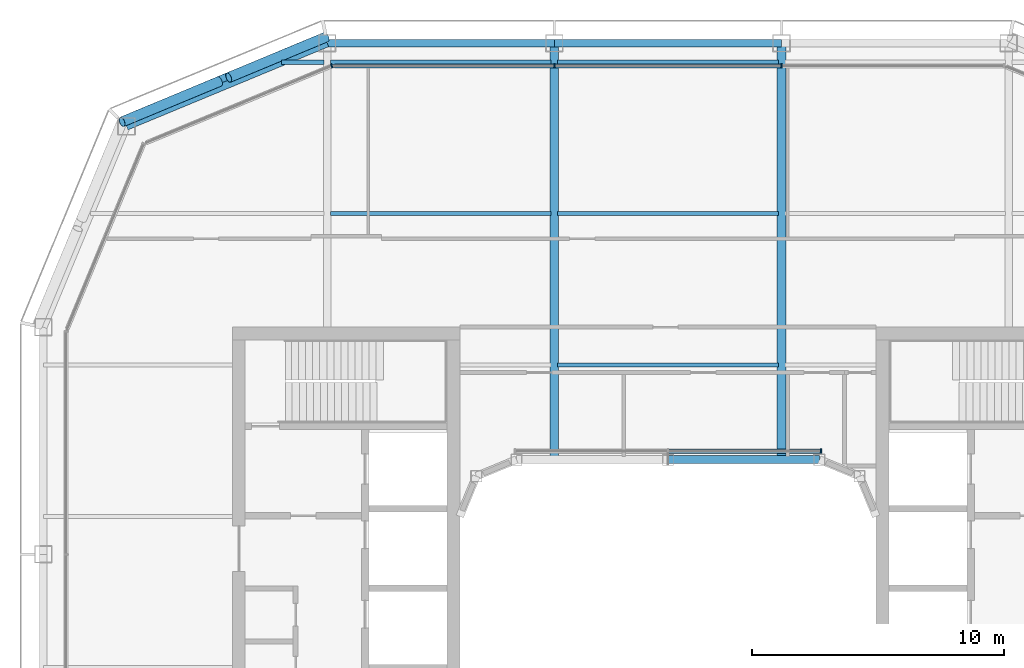
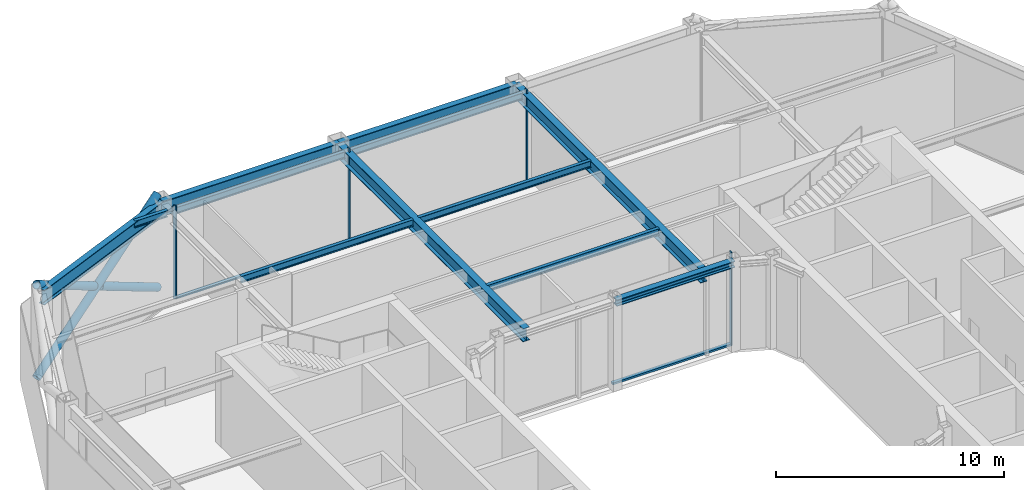
# One storey, part 8 of 17: 12 beams, 10 members, 3 elements without a shape of their own.
"""IFC4 building model written with IfcOpenShell, lengths in metres."""

from ifc_helpers import new_model, si_unit, direction, frame, origin, origin_2d, place, context, subcontext, project, spatial, rectangle, hollow_circle, i_section, extrude, material, layer, layer_set, material_profile, profile_set, type_object, element, aggregate, save


model = new_model("IFC4")

# Units and contexts
model_context = context("Model", 3, precision=1e-05, world=origin(), true_north=direction((0.0, 1.0)))
body_context = subcontext(model_context, "Body", "Model", "MODEL_VIEW")
ifc_project = project(units=[si_unit("LENGTHUNIT", "METRE"), si_unit("AREAUNIT", "SQUARE_METRE"), si_unit("VOLUMEUNIT", "CUBIC_METRE"), si_unit("PLANEANGLEUNIT", "RADIAN"), si_unit("MASSUNIT", "GRAM", prefix="KILO")], contexts=[model_context])

# Site, building, storey
site_placement = place(None, origin())
site = spatial("IfcSite", under=ifc_project, at=site_placement, CompositionType="ELEMENT")
building_placement = place(site_placement, origin())
building = spatial("IfcBuilding", under=site, at=building_placement, Name="Siwar Civic Tower", CompositionType="ELEMENT")
storey_placement = place(building_placement, frame((0.0, 0.0, 353.199951171875)))
storey = spatial("IfcBuildingStorey", under=building, at=storey_placement, Name="L76", CompositionType="ELEMENT", Elevation=353.199951171875)

# Curtain wall, members
ifc_material_1 = material(Name="Aluminium and glass", Category="aluminium")
ifc_layer_1 = layer(ifc_material_1, 0.159912109375)
ifc_layer_set_1 = layer_set([ifc_layer_1], Name="Aluminium and glass")
curtain_wall_type_1 = type_object("IfcCurtainWallType", Name="ENV-CW-D", PredefinedType="NOTDEFINED", material=ifc_layer_set_1)
curtain_wall_1_placement = place(storey_placement, origin())
curtain_wall_1 = element("IfcCurtainWall", 1, at=curtain_wall_1_placement, inside=storey, type_object=curtain_wall_type_1, Name="Curtain wall D N", PredefinedType="NOTDEFINED")
ifc_material_2 = material(Name="Aluminium 6063-T6", Category="aluminium")
ifc_material_profile_1 = material_profile(ifc_material_2, rectangle(XDim=0.159912109375, YDim=0.06005859375, at=origin_2d()), Name="AL 160x60")
ifc_profile_set_1 = profile_set([ifc_material_profile_1], Name="Aluminium 6063-T6")
member_type_1 = type_object("IfcMemberType", Name="ENV-MULLION-D", PredefinedType="MULLION", material=ifc_profile_set_1)
member_1_placement = place(storey_placement, frame((4.5, 23.85009765625, 0.0), z_axis=(0.0, 0.0, 1.0), x_axis=(0.0, -1.0, 0.0)))
member_1 = element("IfcMember", 2, at=member_1_placement, type_object=member_type_1, Name="Mullion D N 2", PredefinedType="MULLION", context=body_context, shape_type="SweptSolid", body=[
    extrude(rectangle(XDim=0.159912109375, YDim=0.06005859375, at=origin_2d()), origin(), (0.0, 0.0, 1.0), 5.0),
])
member_2_placement = place(storey_placement, frame((-4.5, 23.85009765625, 0.0), z_axis=(0.0, 0.0, 1.0), x_axis=(0.0, -1.0, 0.0)))
member_2 = element("IfcMember", 3, at=member_2_placement, type_object=member_type_1, Name="Mullion D N 3", PredefinedType="MULLION", context=body_context, shape_type="SweptSolid", body=[
    extrude(rectangle(XDim=0.159912109375, YDim=0.06005859375, at=origin_2d()), origin(), (0.0, 0.0, 1.0), 5.0),
])

# Curtain wall, member
ifc_material_3 = material(Name="Aluminium clad insulated panel", Category="aluminium")
ifc_layer_2 = layer(ifc_material_3, 0.159912109375)
ifc_layer_set_2 = layer_set([ifc_layer_2], Name="Aluminium clad insulated panel")
curtain_wall_type_2 = type_object("IfcCurtainWallType", Name="ENV-CW-DX", PredefinedType="NOTDEFINED", material=ifc_layer_set_2)
curtain_wall_2_placement = place(storey_placement, origin())
curtain_wall_2 = element("IfcCurtainWall", 4, at=curtain_wall_2_placement, inside=storey, type_object=curtain_wall_type_2, Name="Curtain wall D NW1", PredefinedType="NOTDEFINED")
member_3_placement = place(storey_placement, frame((-13.321044921875, 23.85009765625, 0.0), z_axis=(0.0, 0.0, 1.0), x_axis=(0.382683432365, -0.923879532511, 0.0)))
member_3 = element("IfcMember", 5, at=member_3_placement, type_object=member_type_1, Name="Mullion D NW1 1", PredefinedType="MULLION", context=body_context, shape_type="SweptSolid", body=[
    extrude(rectangle(XDim=0.159912109375, YDim=0.06005859375, at=origin_2d()), origin(), (0.0, 0.0, 1.0), 5.0),
])
aggregate(curtain_wall_2, [member_3])

ifc_material_4 = material(Name="Aluminium and glass", Category="aluminium")
ifc_layer_3 = layer(ifc_material_4, 0.179931640625)
ifc_layer_set_3 = layer_set([ifc_layer_3], Name="Aluminium and glass")
curtain_wall_type_3 = type_object("IfcCurtainWallType", Name="ENV-CW-W", PredefinedType="NOTDEFINED", material=ifc_layer_set_3)
curtain_wall_3_placement = place(storey_placement, origin())
curtain_wall_3 = element("IfcCurtainWall", 6, at=curtain_wall_3_placement, inside=storey, type_object=curtain_wall_type_3, Name="Curtain wall W WN", PredefinedType="NOTDEFINED")
ifc_material_5 = material(Name="Aluminium 6063-T6", Category="aluminium")
ifc_material_profile_2 = material_profile(ifc_material_5, rectangle(XDim=0.179931640625, YDim=0.06005859375, at=origin_2d()), Name="AL 180x60")
ifc_profile_set_2 = profile_set([ifc_material_profile_2], Name="Aluminium 6063-T6")
member_type_2 = type_object("IfcMemberType", Name="ENV-MULLION-W", PredefinedType="MULLION", material=ifc_profile_set_2)
member_4_placement = place(storey_placement, frame((6.066650390625, 8.5849609375, 0.0), z_axis=(0.0, 0.0, 1.0), x_axis=(0.0, -1.0, 0.0)))
member_4 = element("IfcMember", 7, at=member_4_placement, type_object=member_type_2, Name="Mullion W WN 1", PredefinedType="MULLION", context=body_context, shape_type="SweptSolid", body=[
    extrude(rectangle(XDim=0.179931640625, YDim=0.06005859375, at=origin_2d()), origin(), (0.0, 0.0, 1.0), 5.0),
])

# Member
ifc_material_6 = material(Name="Aluminium 6063-T6", Category="aluminium")
ifc_material_profile_3 = material_profile(ifc_material_6, rectangle(XDim=0.159912109375, YDim=0.10009765625, at=origin_2d()), Name="AL 160x100")
ifc_profile_set_3 = profile_set([ifc_material_profile_3], Name="Aluminium 6063-T6")
member_type_3 = type_object("IfcMemberType", Name="ENV-TRANSOM-D", PredefinedType="USERDEFINED", material=ifc_profile_set_3)
member_5_placement = place(storey_placement, frame((4.469970703125, 23.85009765625, 0.050048828125), z_axis=(-1.0, 0.0, 0.0), x_axis=(0.0, -1.0, 0.0)))
member_5 = element("IfcMember", 8, at=member_5_placement, type_object=member_type_3, Name="Transom D N 2", ObjectType="TRANSOM", PredefinedType="USERDEFINED", context=body_context, shape_type="SweptSolid", body=[
    extrude(rectangle(XDim=0.159912109375, YDim=0.10009765625, at=origin_2d()), origin(), (0.0, 0.0, 1.0), 8.93994140625),
])

member_6_placement = place(storey_placement, frame((-4.530029296875, 23.85009765625, 0.050048828125), z_axis=(-1.0, 0.0, 0.0), x_axis=(0.0, -1.0, 0.0)))
member_6 = element("IfcMember", 9, at=member_6_placement, type_object=member_type_3, Name="Transom D N 3", ObjectType="TRANSOM", PredefinedType="USERDEFINED", context=body_context, shape_type="SweptSolid", body=[
    extrude(rectangle(XDim=0.159912109375, YDim=0.10009765625, at=origin_2d()), origin(), (0.0, 0.0, 1.0), 8.693115234375),
])

aggregate(curtain_wall_1, [member_1, member_2, member_5, member_6])

ifc_material_7 = material(Name="Aluminium 6063-T6", Category="aluminium")
ifc_material_profile_4 = material_profile(ifc_material_7, rectangle(XDim=0.179931640625, YDim=0.10009765625, at=origin_2d()), Name="AL 180x100")
ifc_profile_set_4 = profile_set([ifc_material_profile_4], Name="Aluminium 6063-T6")
member_type_4 = type_object("IfcMemberType", Name="ENV-TRANSOM-W", PredefinedType="USERDEFINED", material=ifc_profile_set_4)
member_7_placement = place(storey_placement, frame((6.03662109375, 8.5849609375, 0.050048828125), z_axis=(-1.0, 0.0, 0.0), x_axis=(0.0, -1.0, 0.0)))
member_7 = element("IfcMember", 10, at=member_7_placement, type_object=member_type_4, Name="Transom W WN 1", ObjectType="TRANSOM", PredefinedType="USERDEFINED", context=body_context, shape_type="SweptSolid", body=[
    extrude(rectangle(XDim=0.179931640625, YDim=0.10009765625, at=origin_2d()), origin(), (0.0, 0.0, 1.0), 6.006591796875),
])

aggregate(curtain_wall_3, [member_4, member_7])

# Members
ifc_material_8 = material(Name="Steel S355", Category="steel")
ifc_material_profile_5 = material_profile(ifc_material_8, hollow_circle(Radius=0.203125, WallThickness=0.01611328125, at=origin_2d()), Name="CHS406.4x16")
ifc_profile_set_5 = profile_set([ifc_material_profile_5], Name="Steel S355")
member_type_5 = type_object("IfcMemberType", Name="STR-BR-CHS406.4x16", PredefinedType="BRACE", material=ifc_profile_set_5)
member_8_placement = place(storey_placement, frame((-21.6318359375, 21.6318359375, 0.0), z_axis=(0.801726811989, 0.333592743807, 0.495933463499), x_axis=(-0.384163874976, 0.923264922524, 0.0)))
element("IfcMember", 11, at=member_8_placement, inside=storey, type_object=member_type_5, Name="L76/brc/DNW1-15-0-0", PredefinedType="BRACE", context=body_context, shape_type="SweptSolid", body=[
    extrude(hollow_circle(Radius=0.203125, WallThickness=0.01611328125, at=origin_2d()), origin(), (0.0, 0.0, 1.0), 10.08203125),
])
for number, where, z_axis, x_axis, name in (
    (12, (-13.548828125, 24.9951171875, 0.0), (-0.80170559549, -0.333625253508, 0.495945892595), (0.384204453742, -0.923248036946, 0.0), "L76/brc/DNW1-15-0-4"),
    (13, (-17.775390625, 23.236328125, 2.614501953125), (-0.801737302644, -0.333566570839, 0.495934108897), (0.384133897361, -0.923277395422, 0.0), "L76/brc/DNW1-15-0-5"),
):
    element("IfcMember", number, at=place(storey_placement, frame(where, z_axis=z_axis, x_axis=x_axis)), inside=storey, type_object=member_type_5, Name=name, PredefinedType="BRACE", context=body_context, shape_type="SweptSolid", body=[
        extrude(hollow_circle(Radius=0.203125, WallThickness=0.01611328125, at=origin_2d()), origin(), (0.0, 0.0, 1.0), 4.81005859375),
    ])

# Beams
ifc_material_9 = material(Name="Steel S355", Category="steel")
ifc_material_profile_6 = material_profile(ifc_material_9, i_section(OverallWidth=0.169921875, OverallDepth=0.360107421875, WebThickness=0.008056640625, FlangeThickness=0.0126953125, FilletRadius=0.01806640625, at=origin_2d()), Name="IPE360")
ifc_profile_set_6 = profile_set([ifc_material_profile_6], Name="Steel S355")
beam_type_1 = type_object("IfcBeamType", Name="STR-FB-IPE360", PredefinedType="JOIST", material=ifc_profile_set_6)
for number, where, z_axis, x_axis, name in (
    (14, (-4.3701171875, 12.0, 4.6201171875), (1.0, 0.0, 0.0), (0.0, 1.0, 0.0), "L76/bm/F024"),
    (15, (-13.3701171875, 18.0, 4.6201171875), (1.0, 0.0, 0.0), (0.0, 1.0, 0.0), "L76/bm/F028"),
    (16, (-4.3701171875, 18.0, 4.6201171875), (1.0, 0.0, 0.0), (0.0, 1.0, 0.0), "L76/bm/F029"),
):
    element("IfcBeam", number, at=place(storey_placement, frame(where, z_axis=z_axis, x_axis=x_axis)), inside=storey, type_object=beam_type_1, Name=name, PredefinedType="JOIST", context=body_context, shape_type="SweptSolid", body=[
        extrude(i_section(OverallWidth=0.169921875, OverallDepth=0.360107421875, WebThickness=0.008056640625, FlangeThickness=0.0126953125, FilletRadius=0.01806640625, at=origin_2d()), origin(), (0.0, 0.0, 1.0), 8.740234375),
    ])
beam_1_placement = place(storey_placement, frame((-15.310546875, 24.0, 4.6201171875), z_axis=(1.0, 0.0, 0.0), x_axis=(0.0, 1.0, 0.0)))
element("IfcBeam", 17, at=beam_1_placement, inside=storey, type_object=beam_type_1, Name="L76/bm/F032", PredefinedType="JOIST", context=body_context, shape_type="SweptSolid", body=[
    extrude(i_section(OverallWidth=0.169921875, OverallDepth=0.360107421875, WebThickness=0.008056640625, FlangeThickness=0.0126953125, FilletRadius=0.01806640625, at=origin_2d()), origin(), (0.0, 0.0, 1.0), 1.6806640625),
])
for number, where, z_axis, x_axis, name in (
    (18, (-13.3701171875, 24.0, 4.6201171875), (1.0, 0.0, 0.0), (0.0, 1.0, 0.0), "L76/bm/F033"),
    (19, (-4.3701171875, 24.0, 4.6201171875), (1.0, 0.0, 0.0), (0.0, 1.0, 0.0), "L76/bm/F034"),
):
    element("IfcBeam", number, at=place(storey_placement, frame(where, z_axis=z_axis, x_axis=x_axis)), inside=storey, type_object=beam_type_1, Name=name, PredefinedType="JOIST", context=body_context, shape_type="SweptSolid", body=[
        extrude(i_section(OverallWidth=0.169921875, OverallDepth=0.360107421875, WebThickness=0.008056640625, FlangeThickness=0.0126953125, FilletRadius=0.01806640625, at=origin_2d()), origin(), (0.0, 0.0, 1.0), 8.740234375),
    ])
ifc_material_10 = material(Name="Steel S355", Category="steel")
ifc_material_profile_7 = material_profile(ifc_material_10, i_section(OverallWidth=0.340087890625, OverallDepth=0.699951171875, WebThickness=0.013916015625, FlangeThickness=0.030029296875, at=origin_2d()), Name="PG700x340x14x30")
ifc_profile_set_7 = profile_set([ifc_material_profile_7], Name="Steel S355")
beam_type_2 = type_object("IfcBeamType", Name="STR-PG-PG700x340x14x30", PredefinedType="BEAM", material=ifc_profile_set_7)
for number, where, z_axis, x_axis, name in (
    (20, (-4.5, 8.25, 4.449951171875), (0.0, 1.0, 0.0), (-1.0, 0.0, 0.0), "L76/bm/G04"),
    (21, (4.5, 8.25, 4.449951171875), (0.0, 1.0, 0.0), (-1.0, 0.0, 0.0), "L76/bm/G06"),
):
    element("IfcBeam", number, at=place(storey_placement, frame(where, z_axis=z_axis, x_axis=x_axis)), inside=storey, type_object=beam_type_2, Name=name, PredefinedType="BEAM", context=body_context, shape_type="SweptSolid", body=[
        extrude(i_section(OverallWidth=0.340087890625, OverallDepth=0.699951171875, WebThickness=0.013916015625, FlangeThickness=0.030029296875, at=origin_2d()), origin(), (0.0, 0.0, 1.0), 16.5),
    ])
ifc_material_11 = material(Name="Steel S355", Category="steel")
ifc_material_profile_8 = material_profile(ifc_material_11, i_section(OverallWidth=0.31005859375, OverallDepth=0.340087890625, WebThickness=0.02099609375, FlangeThickness=0.0390625, FilletRadius=0.027099609375, at=origin_2d()), Name="HEM300")
ifc_profile_set_8 = profile_set([ifc_material_profile_8], Name="Steel S355")
beam_type_3 = type_object("IfcBeamType", Name="STR-RB-HEM300", PredefinedType="BEAM", material=ifc_profile_set_8)
beam_2_placement = place(storey_placement, frame((0.0, 8.25, 4.630126953125), z_axis=(1.0, 0.0, 0.0), x_axis=(0.0, 1.0, 0.0)))
element("IfcBeam", 22, at=beam_2_placement, inside=storey, type_object=beam_type_3, Name="L76/bm/RN2", PredefinedType="BEAM", context=body_context, shape_type="SweptSolid", body=[
    extrude(i_section(OverallWidth=0.31005859375, OverallDepth=0.340087890625, WebThickness=0.02099609375, FlangeThickness=0.0390625, FilletRadius=0.027099609375, at=origin_2d()), origin(), (0.0, 0.0, 1.0), 6.0),
])
ifc_material_12 = material(Name="Steel S355", Category="steel")
ifc_material_profile_9 = material_profile(ifc_material_12, i_section(OverallWidth=0.300048828125, OverallDepth=0.800048828125, WebThickness=0.017578125, FlangeThickness=0.032958984375, FilletRadius=0.030029296875, at=origin_2d()), Name="HEB800")
ifc_profile_set_9 = profile_set([ifc_material_profile_9], Name="Steel S355")
beam_type_4 = type_object("IfcBeamType", Name="STR-SB-HEB800", PredefinedType="BEAM", material=ifc_profile_set_9)
for number, where, z_axis, x_axis, name in (
    (23, (4.5, 24.75, 4.400146484375), (-1.0, 0.0, 0.0), (0.0, -1.0, 0.0), "L76/bm/SN-1"),
    (24, (-4.5, 24.75, 4.400146484375), (-1.0, 0.0, 0.0), (0.0, -1.0, 0.0), "L76/bm/SN-2"),
):
    element("IfcBeam", number, at=place(storey_placement, frame(where, z_axis=z_axis, x_axis=x_axis)), inside=storey, type_object=beam_type_4, Name=name, PredefinedType="BEAM", context=body_context, shape_type="SweptSolid", body=[
        extrude(i_section(OverallWidth=0.300048828125, OverallDepth=0.800048828125, WebThickness=0.017578125, FlangeThickness=0.032958984375, FilletRadius=0.030029296875, at=origin_2d()), origin(), (0.0, 0.0, 1.0), 9.0),
    ])
beam_3_placement = place(storey_placement, frame((-13.5, 24.75, 4.400146484375), z_axis=(-0.923872720536, -0.382699877515, 0.0), x_axis=(0.382699877515, -0.923872720536, 0.0)))
element("IfcBeam", 25, at=beam_3_placement, inside=storey, type_object=beam_type_4, Name="L76/bm/SNW1-0", PredefinedType="BEAM", context=body_context, shape_type="SweptSolid", body=[
    extrude(i_section(OverallWidth=0.300048828125, OverallDepth=0.800048828125, WebThickness=0.017578125, FlangeThickness=0.032958984375, FilletRadius=0.030029296875, at=origin_2d()), origin(), (0.0, 0.0, 1.0), 8.6103515625),
])

save(model, "model.ifc")
